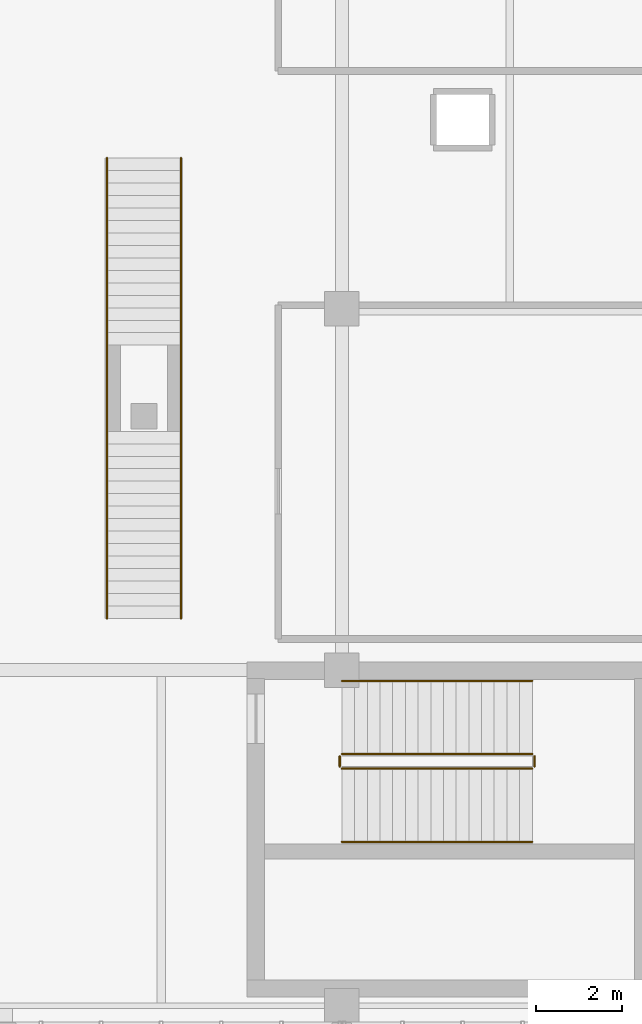
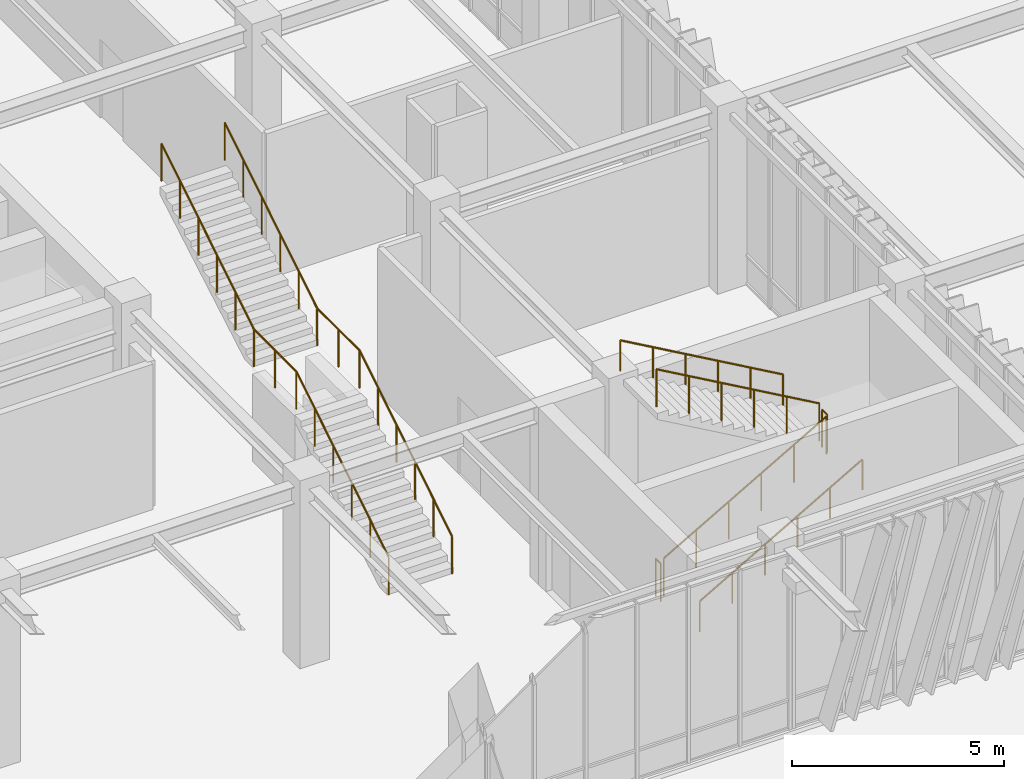
# One storey, part 114 of 122: 8 railings.
"""IFC4 building model written with IfcOpenShell, lengths in metres."""

from ifc_helpers import new_model, si_unit, direction, frame, origin, origin_2d, place, context, subcontext, project, spatial, circle, extrude, material, type_object, element, save


model = new_model("IFC4")

# Units and contexts
model_context = context("Model", 3, precision=1e-05, world=origin(), true_north=direction((0.0, 1.0)))
body_context = subcontext(model_context, "Body", "Model", "MODEL_VIEW")
ifc_project = project(units=[si_unit("LENGTHUNIT", "METRE"), si_unit("AREAUNIT", "SQUARE_METRE"), si_unit("VOLUMEUNIT", "CUBIC_METRE"), si_unit("PLANEANGLEUNIT", "RADIAN"), si_unit("MASSUNIT", "GRAM", prefix="KILO")], contexts=[model_context])

# Site, building, storey
site_placement = place(None, origin())
site = spatial("IfcSite", under=ifc_project, at=site_placement, CompositionType="ELEMENT")
building_placement = place(site_placement, origin())
building = spatial("IfcBuilding", under=site, at=building_placement, Name="Zayran Congress Hotel", CompositionType="ELEMENT")
storey_placement = place(building_placement, origin())
storey = spatial("IfcBuildingStorey", under=building, at=storey_placement, Name="L00", CompositionType="ELEMENT", Elevation=0.0)

# Railings
ifc_material_1 = material(Name="Painted steel balustrade", Category="steel")
railing_type_1 = type_object("IfcRailingType", Name="TP-GRD-INT", PredefinedType="GUARDRAIL", material=ifc_material_1)
railing_1_placement = place(storey_placement, frame((84.0, 73.7099609375, 0.168701171875)))
element("IfcRailing", 1, at=railing_1_placement, inside=storey, type_object=railing_type_1, Name="L00 ST-06 stair guard 1", PredefinedType="GUARDRAIL", context=body_context, shape_type="SweptSolid", body=[
    extrude(circle(Radius=0.02392578125, at=origin_2d()), frame((0.0, 0.0, 1.076171875), z_axis=(0.868019072493, 0.0, 0.49653085482), x_axis=(0.0, 1.0, 0.0)), (0.0, 0.0, 1.0), 5.097900390625),
    extrude(circle(Radius=0.02099609375, at=origin_2d()), origin(), (0.0, 0.0, 1.0), 1.052001953125),
    extrude(circle(Radius=0.02099609375, at=origin_2d()), frame((0.885009765625, 0.0, 0.50634765625)), (0.0, 0.0, 1.0), 1.052001953125),
    extrude(circle(Radius=0.02099609375, at=origin_2d()), frame((1.77001953125, 0.0, 1.012451171875)), (0.0, 0.0, 1.0), 1.052001953125),
    extrude(circle(Radius=0.02099609375, at=origin_2d()), frame((2.655029296875, 0.0, 1.518798828125)), (0.0, 0.0, 1.0), 1.052001953125),
    extrude(circle(Radius=0.02099609375, at=origin_2d()), frame((3.5400390625, 0.0, 2.02490234375)), (0.0, 0.0, 1.0), 1.052001953125),
    extrude(circle(Radius=0.02099609375, at=origin_2d()), frame((4.425048828125, 0.0, 2.53125)), (0.0, 0.0, 1.0), 1.052001953125),
])
railing_2_placement = place(storey_placement, frame((88.47509765625, 73.760009765625, 2.699951171875)))
element("IfcRailing", 2, at=railing_2_placement, inside=storey, type_object=railing_type_1, Name="L00 ST-06 stair guard 2", PredefinedType="GUARDRAIL", context=body_context, shape_type="SweptSolid", body=[
    extrude(circle(Radius=0.02392578125, at=origin_2d()), frame((0.0, 0.0, 1.076171875), z_axis=(0.0, 1.0, 0.0), x_axis=(-1.0, 0.0, 0.0)), (0.0, 0.0, 1.0), 0.239990234375),
    extrude(circle(Radius=0.02099609375, at=origin_2d()), origin(), (0.0, 0.0, 1.0), 1.052001953125),
    extrude(circle(Radius=0.02099609375, at=origin_2d()), frame((0.0, 0.239990234375, 0.0)), (0.0, 0.0, 1.0), 1.052001953125),
])
railing_3_placement = place(storey_placement, frame((88.425048828125, 74.050048828125, 2.86865234375)))
element("IfcRailing", 3, at=railing_3_placement, inside=storey, type_object=railing_type_1, Name="L00 ST-06 stair guard 3", PredefinedType="GUARDRAIL", context=body_context, shape_type="SweptSolid", body=[
    extrude(circle(Radius=0.02392578125, at=origin_2d()), frame((0.0, 0.0, 1.076171875), z_axis=(-0.868019072493, 0.0, 0.49653085482), x_axis=(0.0, -1.0, 0.0)), (0.0, 0.0, 1.0), 5.097900390625),
    extrude(circle(Radius=0.02099609375, at=origin_2d()), origin(), (0.0, 0.0, 1.0), 1.052001953125),
    extrude(circle(Radius=0.02099609375, at=origin_2d()), frame((-0.885009765625, 0.0, 0.50634765625)), (0.0, 0.0, 1.0), 1.052001953125),
    extrude(circle(Radius=0.02099609375, at=origin_2d()), frame((-1.77001953125, 0.0, 1.012451171875)), (0.0, 0.0, 1.0), 1.052001953125),
    extrude(circle(Radius=0.02099609375, at=origin_2d()), frame((-2.655029296875, 0.0, 1.518798828125)), (0.0, 0.0, 1.0), 1.052001953125),
    extrude(circle(Radius=0.02099609375, at=origin_2d()), frame((-3.5400390625, 0.0, 2.02490234375)), (0.0, 0.0, 1.0), 1.052001953125),
    extrude(circle(Radius=0.02099609375, at=origin_2d()), frame((-4.425048828125, 0.0, 2.53125)), (0.0, 0.0, 1.0), 1.052001953125),
])
railing_4_placement = place(storey_placement, frame((83.949951171875, 73.760009765625, 0.0)))
element("IfcRailing", 4, at=railing_4_placement, inside=storey, type_object=railing_type_1, Name="L00 ST-06 stair guard 4", PredefinedType="GUARDRAIL", context=body_context, shape_type="SweptSolid", body=[
    extrude(circle(Radius=0.02392578125, at=origin_2d()), frame((0.0, 0.0, 1.076171875), z_axis=(0.0, 1.0, 0.0), x_axis=(-1.0, 0.0, 0.0)), (0.0, 0.0, 1.0), 0.239990234375),
    extrude(circle(Radius=0.02099609375, at=origin_2d()), origin(), (0.0, 0.0, 1.0), 1.052001953125),
    extrude(circle(Radius=0.02099609375, at=origin_2d()), frame((0.0, 0.239990234375, 0.0)), (0.0, 0.0, 1.0), 1.052001953125),
])
railing_5_placement = place(storey_placement, frame((80.260009765625, 77.199951171875, 0.0)))
element("IfcRailing", 5, at=railing_5_placement, inside=storey, type_object=railing_type_1, Name="GRD-VOM-02-R", PredefinedType="GUARDRAIL", context=body_context, shape_type="SweptSolid", body=[
    extrude(circle(Radius=0.02392578125, at=origin_2d()), frame((0.0, 0.0, 1.076171875), z_axis=(0.0, 0.849649743971, 0.527347430608), x_axis=(-1.0, 0.0, 0.0)), (0.0, 0.0, 1.0), 5.119873046875),
    extrude(circle(Radius=0.02392578125, at=origin_2d()), frame((0.0, 4.35009765625, 3.77587890625), z_axis=(0.0, 1.0, 0.0), x_axis=(-1.0, 0.0, 0.0)), (0.0, 0.0, 1.0), 2.0),
    extrude(circle(Radius=0.02392578125, at=origin_2d()), frame((0.0, 6.35009765625, 3.77587890625), z_axis=(0.0, 0.849636482215, 0.527368797038), x_axis=(-1.0, 0.0, 0.0)), (0.0, 0.0, 1.0), 5.11962890625),
    extrude(circle(Radius=0.02099609375, at=origin_2d()), origin(), (0.0, 0.0, 1.0), 1.052001953125),
    extrude(circle(Radius=0.02099609375, at=origin_2d()), frame((0.0, 0.8701171875, 0.5400390625)), (0.0, 0.0, 1.0), 1.052001953125),
    extrude(circle(Radius=0.02099609375, at=origin_2d()), frame((0.0, 1.739990234375, 1.080078125)), (0.0, 0.0, 1.0), 1.052001953125),
    extrude(circle(Radius=0.02099609375, at=origin_2d()), frame((0.0, 2.610107421875, 1.619873046875)), (0.0, 0.0, 1.0), 1.052001953125),
    extrude(circle(Radius=0.02099609375, at=origin_2d()), frame((0.0, 3.47998046875, 2.159912109375)), (0.0, 0.0, 1.0), 1.052001953125),
    extrude(circle(Radius=0.02099609375, at=origin_2d()), frame((0.0, 4.35009765625, 2.699951171875)), (0.0, 0.0, 1.0), 1.052001953125),
    extrude(circle(Radius=0.02099609375, at=origin_2d()), frame((0.0, 5.35009765625, 2.699951171875)), (0.0, 0.0, 1.0), 1.052001953125),
    extrude(circle(Radius=0.02099609375, at=origin_2d()), frame((0.0, 6.35009765625, 2.699951171875)), (0.0, 0.0, 1.0), 1.052001953125),
    extrude(circle(Radius=0.02099609375, at=origin_2d()), frame((0.0, 7.219970703125, 3.239990234375)), (0.0, 0.0, 1.0), 1.052001953125),
    extrude(circle(Radius=0.02099609375, at=origin_2d()), frame((0.0, 8.090087890625, 3.780029296875)), (0.0, 0.0, 1.0), 1.052001953125),
    extrude(circle(Radius=0.02099609375, at=origin_2d()), frame((0.0, 8.9599609375, 4.31982421875)), (0.0, 0.0, 1.0), 1.052001953125),
    extrude(circle(Radius=0.02099609375, at=origin_2d()), frame((0.0, 9.830078125, 4.85986328125)), (0.0, 0.0, 1.0), 1.052001953125),
    extrude(circle(Radius=0.02099609375, at=origin_2d()), frame((0.0, 10.699951171875, 5.39990234375)), (0.0, 0.0, 1.0), 1.052001953125),
])
railing_6_placement = place(storey_placement, frame((78.5400390625, 77.199951171875, 0.0)))
element("IfcRailing", 6, at=railing_6_placement, inside=storey, type_object=railing_type_1, Name="GRD-VOM-02-L", PredefinedType="GUARDRAIL", context=body_context, shape_type="SweptSolid", body=[
    extrude(circle(Radius=0.02392578125, at=origin_2d()), frame((0.0, 0.0, 1.076171875), z_axis=(0.0, 0.849649743971, 0.527347430608), x_axis=(-1.0, 0.0, 0.0)), (0.0, 0.0, 1.0), 5.119873046875),
    extrude(circle(Radius=0.02392578125, at=origin_2d()), frame((0.0, 4.35009765625, 3.77587890625), z_axis=(0.0, 1.0, 0.0), x_axis=(-1.0, 0.0, 0.0)), (0.0, 0.0, 1.0), 2.0),
    extrude(circle(Radius=0.02392578125, at=origin_2d()), frame((0.0, 6.35009765625, 3.77587890625), z_axis=(0.0, 0.849636482215, 0.527368797038), x_axis=(-1.0, 0.0, 0.0)), (0.0, 0.0, 1.0), 5.11962890625),
    extrude(circle(Radius=0.02099609375, at=origin_2d()), origin(), (0.0, 0.0, 1.0), 1.052001953125),
    extrude(circle(Radius=0.02099609375, at=origin_2d()), frame((0.0, 0.8701171875, 0.5400390625)), (0.0, 0.0, 1.0), 1.052001953125),
    extrude(circle(Radius=0.02099609375, at=origin_2d()), frame((0.0, 1.739990234375, 1.080078125)), (0.0, 0.0, 1.0), 1.052001953125),
    extrude(circle(Radius=0.02099609375, at=origin_2d()), frame((0.0, 2.610107421875, 1.619873046875)), (0.0, 0.0, 1.0), 1.052001953125),
    extrude(circle(Radius=0.02099609375, at=origin_2d()), frame((0.0, 3.47998046875, 2.159912109375)), (0.0, 0.0, 1.0), 1.052001953125),
    extrude(circle(Radius=0.02099609375, at=origin_2d()), frame((0.0, 4.35009765625, 2.699951171875)), (0.0, 0.0, 1.0), 1.052001953125),
    extrude(circle(Radius=0.02099609375, at=origin_2d()), frame((0.0, 5.35009765625, 2.699951171875)), (0.0, 0.0, 1.0), 1.052001953125),
    extrude(circle(Radius=0.02099609375, at=origin_2d()), frame((0.0, 6.35009765625, 2.699951171875)), (0.0, 0.0, 1.0), 1.052001953125),
    extrude(circle(Radius=0.02099609375, at=origin_2d()), frame((0.0, 7.219970703125, 3.239990234375)), (0.0, 0.0, 1.0), 1.052001953125),
    extrude(circle(Radius=0.02099609375, at=origin_2d()), frame((0.0, 8.090087890625, 3.780029296875)), (0.0, 0.0, 1.0), 1.052001953125),
    extrude(circle(Radius=0.02099609375, at=origin_2d()), frame((0.0, 8.9599609375, 4.31982421875)), (0.0, 0.0, 1.0), 1.052001953125),
    extrude(circle(Radius=0.02099609375, at=origin_2d()), frame((0.0, 9.830078125, 4.85986328125)), (0.0, 0.0, 1.0), 1.052001953125),
    extrude(circle(Radius=0.02099609375, at=origin_2d()), frame((0.0, 10.699951171875, 5.39990234375)), (0.0, 0.0, 1.0), 1.052001953125),
])
ifc_material_2 = material(Name="Brushed stainless steel handrail", Category="steel")
railing_type_2 = type_object("IfcRailingType", Name="TP-HND-STR", PredefinedType="HANDRAIL", material=ifc_material_2)
railing_7_placement = place(storey_placement, frame((84.0, 72.010009765625, 0.168701171875)))
element("IfcRailing", 7, at=railing_7_placement, inside=storey, type_object=railing_type_2, Name="L00 ST-06 stair handrail 1", PredefinedType="HANDRAIL", context=body_context, shape_type="SweptSolid", body=[
    extrude(circle(Radius=0.02392578125, at=origin_2d()), frame((0.0, 0.0, 0.8759765625), z_axis=(0.868019072493, 0.0, 0.49653085482), x_axis=(0.0, 1.0, 0.0)), (0.0, 0.0, 1.0), 5.097900390625),
    extrude(circle(Radius=0.02099609375, at=origin_2d()), origin(), (0.0, 0.0, 1.0), 0.851806640625),
    extrude(circle(Radius=0.02099609375, at=origin_2d()), frame((0.885009765625, 0.0, 0.50634765625)), (0.0, 0.0, 1.0), 0.851806640625),
    extrude(circle(Radius=0.02099609375, at=origin_2d()), frame((1.77001953125, 0.0, 1.012451171875)), (0.0, 0.0, 1.0), 0.851806640625),
    extrude(circle(Radius=0.02099609375, at=origin_2d()), frame((2.655029296875, 0.0, 1.518798828125)), (0.0, 0.0, 1.0), 0.851806640625),
    extrude(circle(Radius=0.02099609375, at=origin_2d()), frame((3.5400390625, 0.0, 2.02490234375)), (0.0, 0.0, 1.0), 0.851806640625),
    extrude(circle(Radius=0.02099609375, at=origin_2d()), frame((4.425048828125, 0.0, 2.53125)), (0.0, 0.0, 1.0), 0.851806640625),
])
railing_8_placement = place(storey_placement, frame((88.425048828125, 75.75, 2.86865234375)))
element("IfcRailing", 8, at=railing_8_placement, inside=storey, type_object=railing_type_2, Name="L00 ST-06 stair handrail 2", PredefinedType="HANDRAIL", context=body_context, shape_type="SweptSolid", body=[
    extrude(circle(Radius=0.02392578125, at=origin_2d()), frame((0.0, 0.0, 0.8759765625), z_axis=(-0.868019072493, 0.0, 0.49653085482), x_axis=(0.0, -1.0, 0.0)), (0.0, 0.0, 1.0), 5.097900390625),
    extrude(circle(Radius=0.02099609375, at=origin_2d()), origin(), (0.0, 0.0, 1.0), 0.851806640625),
    extrude(circle(Radius=0.02099609375, at=origin_2d()), frame((-0.885009765625, 0.0, 0.50634765625)), (0.0, 0.0, 1.0), 0.851806640625),
    extrude(circle(Radius=0.02099609375, at=origin_2d()), frame((-1.77001953125, 0.0, 1.012451171875)), (0.0, 0.0, 1.0), 0.851806640625),
    extrude(circle(Radius=0.02099609375, at=origin_2d()), frame((-2.655029296875, 0.0, 1.518798828125)), (0.0, 0.0, 1.0), 0.851806640625),
    extrude(circle(Radius=0.02099609375, at=origin_2d()), frame((-3.5400390625, 0.0, 2.02490234375)), (0.0, 0.0, 1.0), 0.851806640625),
    extrude(circle(Radius=0.02099609375, at=origin_2d()), frame((-4.425048828125, 0.0, 2.53125)), (0.0, 0.0, 1.0), 0.851806640625),
])

save(model, "model.ifc")
